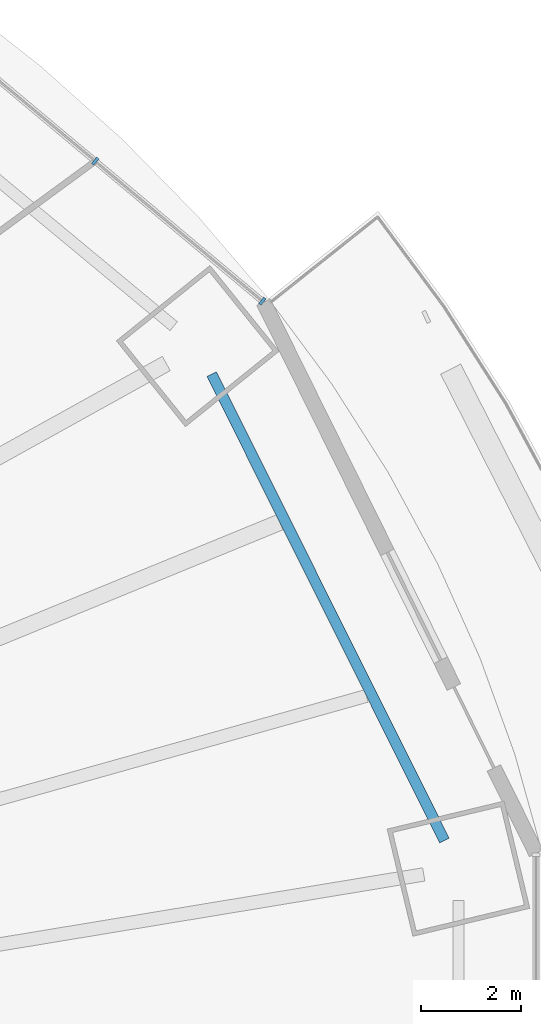
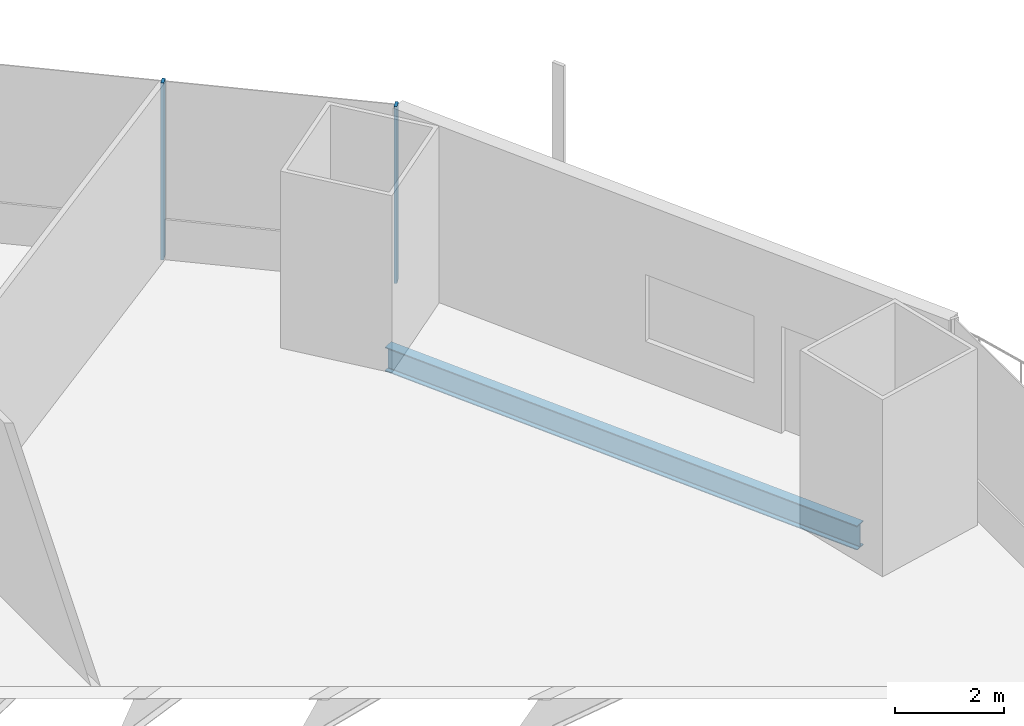
# One storey, part 12 of 23: 2 members, 1 beam, 1 element without a shape of its own.
"""IFC4 building model written with IfcOpenShell, lengths in metres."""

from ifc_helpers import new_model, si_unit, direction, frame, origin, origin_2d, place, context, subcontext, project, spatial, rectangle, i_section, extrude, material, material_profile, profile_set, type_object, element, aggregate, save


model = new_model("IFC4")

# Units and contexts
model_context = context("Model", 3, precision=1e-05, world=origin(), true_north=direction((0.0, 1.0)))
body_context = subcontext(model_context, "Body", "Model", "MODEL_VIEW")
ifc_project = project(units=[si_unit("LENGTHUNIT", "METRE"), si_unit("AREAUNIT", "SQUARE_METRE"), si_unit("VOLUMEUNIT", "CUBIC_METRE"), si_unit("PLANEANGLEUNIT", "RADIAN"), si_unit("MASSUNIT", "GRAM", prefix="KILO")], contexts=[model_context])

# Site, building, storey
site_placement = place(None, origin())
site = spatial("IfcSite", under=ifc_project, at=site_placement, CompositionType="ELEMENT")
building_placement = place(site_placement, origin())
building = spatial("IfcBuilding", under=site, at=building_placement, Name="Marenthal Gate Tower", CompositionType="ELEMENT")
storey_placement = place(building_placement, frame((0.0, 0.0, 53.75)))
storey = spatial("IfcBuildingStorey", under=building, at=storey_placement, Name="L09", CompositionType="ELEMENT", Elevation=53.75)

# Curtain wall, members
ifc_material_1 = material(Name="Aluminium and glass", Category="aluminium")
curtain_wall_type = type_object("IfcCurtainWallType", Name="Curtain wall typical low", PredefinedType="NOTDEFINED", material=ifc_material_1)
curtain_wall_placement = place(storey_placement, origin())
curtain_wall = element("IfcCurtainWall", 1, at=curtain_wall_placement, inside=storey, type_object=curtain_wall_type, Name="Curtain wall L09 bay 2", PredefinedType="NOTDEFINED")
ifc_material_2 = material(Name="Aluminium", Category="aluminium")
ifc_material_profile_1 = material_profile(ifc_material_2, rectangle(XDim=0.159912109375, YDim=0.06005859375, at=origin_2d()), Name="60x160 aluminium mullion")
ifc_profile_set_1 = profile_set([ifc_material_profile_1], Name="Aluminium")
member_type = type_object("IfcMemberType", Name="Mullion 60x160 typical low", PredefinedType="MULLION", material=ifc_profile_set_1)
member_1_placement = place(storey_placement, frame((30.274169921875, 16.972412109375, 0.0), z_axis=(0.0, 0.0, 1.0), x_axis=(-0.642047277641, -0.766665046336, 0.0)))
member_1 = element("IfcMember", 2, at=member_1_placement, type_object=member_type, Name="Mullion L09 bay 2.1", PredefinedType="MULLION", context=body_context, shape_type="SweptSolid", body=[
    extrude(rectangle(XDim=0.159912109375, YDim=0.06005859375, at=origin_2d()), origin(), (0.0, 0.0, 1.0), 3.969970703125),
])
member_2_placement = place(storey_placement, frame((26.938232421875, 19.76611328125, 0.0), z_axis=(0.0, 0.0, 1.0), x_axis=(-0.642047277641, -0.766665046336, 0.0)))
member_2 = element("IfcMember", 3, at=member_2_placement, type_object=member_type, Name="Mullion L09 bay 2.2", PredefinedType="MULLION", context=body_context, shape_type="SweptSolid", body=[
    extrude(rectangle(XDim=0.159912109375, YDim=0.06005859375, at=origin_2d()), origin(), (0.0, 0.0, 1.0), 3.969970703125),
])
aggregate(curtain_wall, [member_1, member_2])

# Beam
ifc_material_3 = material(Name="Steel S355", Category="steel")
ifc_material_profile_2 = material_profile(ifc_material_3, i_section(OverallWidth=0.2119140625, OverallDepth=0.5439453125, WebThickness=0.01318359375, FlangeThickness=0.021240234375, FilletRadius=0.0126953125, at=origin_2d()), Name="W530X123")
ifc_profile_set_2 = profile_set([ifc_material_profile_2], Name="Steel S355")
beam_type = type_object("IfcBeamType", Name="W530X123 beam", PredefinedType="BEAM", material=ifc_profile_set_2)
beam_placement = place(storey_placement, frame((33.9072265625, 6.207763671875, -0.451904296875), z_axis=(-0.446499954542, 0.894783655748, 0.0), x_axis=(-0.894783655748, -0.446499954542, 0.0)))
element("IfcBeam", 4, at=beam_placement, inside=storey, type_object=beam_type, Name="BM-L09-41", PredefinedType="BEAM", context=body_context, shape_type="SweptSolid", body=[
    extrude(i_section(OverallWidth=0.2119140625, OverallDepth=0.5439453125, WebThickness=0.01318359375, FlangeThickness=0.021240234375, FilletRadius=0.0126953125, at=origin_2d()), origin(), (0.0, 0.0, 1.0), 10.402099609375),
])

save(model, "model.ifc")
